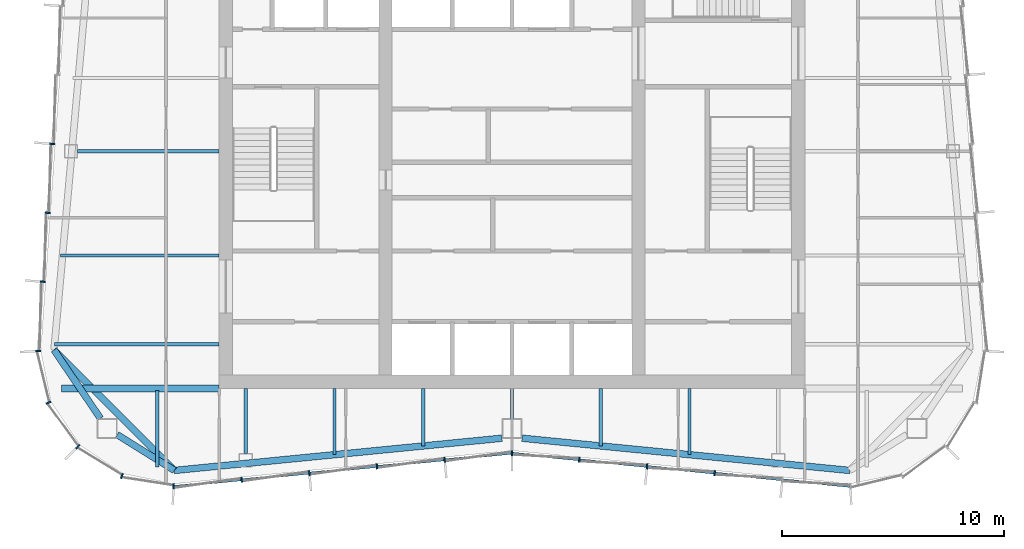
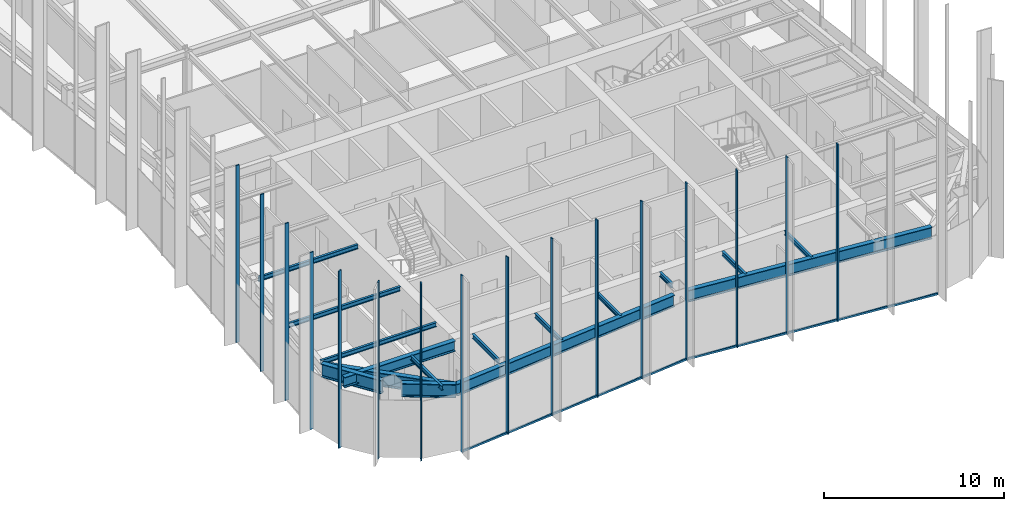
# One storey, part 3 of 13: 18 members, 16 beams, 3 elements without a shape of their own.
"""IFC4 building model written with IfcOpenShell, lengths in metres."""

from ifc_helpers import new_model, si_unit, direction, frame, origin, origin_2d, place, context, subcontext, project, spatial, rectangle, i_section, extrude, material, material_profile, profile_set, type_object, element, aggregate, save


model = new_model("IFC4")

# Units and contexts
model_context = context("Model", 3, precision=1e-05, world=origin(), true_north=direction((0.0, 1.0)))
body_context = subcontext(model_context, "Body", "Model", "MODEL_VIEW")
ifc_project = project(units=[si_unit("LENGTHUNIT", "METRE"), si_unit("AREAUNIT", "SQUARE_METRE"), si_unit("VOLUMEUNIT", "CUBIC_METRE"), si_unit("PLANEANGLEUNIT", "RADIAN"), si_unit("MASSUNIT", "GRAM", prefix="KILO")], contexts=[model_context])

# Site, building, storey
site_placement = place(None, origin())
site = spatial("IfcSite", under=ifc_project, at=site_placement, CompositionType="ELEMENT")
building_placement = place(site_placement, origin())
building = spatial("IfcBuilding", under=site, at=building_placement, Name="Verdant Reach Tower", CompositionType="ELEMENT")
storey_placement = place(building_placement, frame((0.0, 0.0, 306.0)))
storey = spatial("IfcBuildingStorey", under=building, at=storey_placement, Name="L70", CompositionType="ELEMENT", Elevation=306.0)

# Curtain wall, members
ifc_material_1 = material(Name="Anodised aluminium", Category="aluminium")
curtain_wall_type = type_object("IfcCurtainWallType", Name="EN-CW SYSTEM Z5", PredefinedType="NOTDEFINED", material=ifc_material_1)
curtain_wall_1_placement = place(storey_placement, origin())
curtain_wall_1 = element("IfcCurtainWall", 1, at=curtain_wall_1_placement, inside=storey, type_object=curtain_wall_type, Name="Curtain wall west, L70", PredefinedType="NOTDEFINED")
ifc_material_profile_1 = material_profile(ifc_material_1, rectangle(XDim=0.22998046875, YDim=0.070068359375, at=origin_2d()), Name="Mullion 70x230")
ifc_profile_set_1 = profile_set([ifc_material_profile_1], Name="Anodised aluminium")
member_type_1 = type_object("IfcMemberType", Name="EN-MULLION Z5", PredefinedType="MULLION", material=ifc_profile_set_1)
member_1_placement = place(storey_placement, frame((-20.721923828125, 28.829345703125, -0.35009765625), z_axis=(0.0, 0.0, 1.0), x_axis=(-0.997630328423, 0.068802091615, 0.0)))
member_1 = element("IfcMember", 2, at=member_1_placement, type_object=member_type_1, Name="Mullion west face part 2 5, L70", PredefinedType="MULLION", context=body_context, shape_type="SweptSolid", body=[
    extrude(rectangle(XDim=0.22998046875, YDim=0.070068359375, at=origin_2d()), origin(), (0.0, 0.0, 1.0), 12.0),
])
member_2_placement = place(storey_placement, frame((-20.93603515625, 25.72216796875, -0.35009765625), z_axis=(0.0, 0.0, 1.0), x_axis=(-0.997630328423, 0.068802091615, 0.0)))
member_2 = element("IfcMember", 3, at=member_2_placement, type_object=member_type_1, Name="Mullion west face part 2 6, L70", PredefinedType="MULLION", context=body_context, shape_type="SweptSolid", body=[
    extrude(rectangle(XDim=0.22998046875, YDim=0.070068359375, at=origin_2d()), origin(), (0.0, 0.0, 1.0), 12.0),
])
member_3_placement = place(storey_placement, frame((-21.150390625, 22.614990234375, -0.35009765625), z_axis=(0.0, 0.0, 1.0), x_axis=(-0.997630328423, 0.068802091615, 0.0)))
member_3 = element("IfcMember", 4, at=member_3_placement, type_object=member_type_1, Name="Mullion west face part 2 7, L70", PredefinedType="MULLION", context=body_context, shape_type="SweptSolid", body=[
    extrude(rectangle(XDim=0.22998046875, YDim=0.070068359375, at=origin_2d()), origin(), (0.0, 0.0, 1.0), 12.0),
])
aggregate(curtain_wall_1, [member_1, member_2, member_3])

curtain_wall_2_placement = place(storey_placement, origin())
curtain_wall_2 = element("IfcCurtainWall", 5, at=curtain_wall_2_placement, inside=storey, type_object=curtain_wall_type, Name="Curtain wall south-west corner, L70", PredefinedType="NOTDEFINED")
member_4_placement = place(storey_placement, frame((-21.36474609375, 19.49267578125, -0.35009765625), z_axis=(0.0, 0.0, 1.0), x_axis=(-0.997969180898, -0.063698618332, 0.0)))
member_4 = element("IfcMember", 6, at=member_4_placement, type_object=member_type_1, Name="Mullion south-west corner 1, L70", PredefinedType="MULLION", context=body_context, shape_type="SweptSolid", body=[
    extrude(rectangle(XDim=0.22998046875, YDim=0.070068359375, at=origin_2d()), origin(), (0.0, 0.0, 1.0), 12.0),
])
member_5_placement = place(storey_placement, frame((-20.899658203125, 17.159912109375, -0.35009765625), z_axis=(0.0, 0.0, 1.0), x_axis=(-0.923875215753, -0.382693853776, 0.0)))
member_5 = element("IfcMember", 7, at=member_5_placement, type_object=member_type_1, Name="Mullion south-west corner 2, L70", PredefinedType="MULLION", context=body_context, shape_type="SweptSolid", body=[
    extrude(rectangle(XDim=0.22998046875, YDim=0.070068359375, at=origin_2d()), origin(), (0.0, 0.0, 1.0), 12.0),
])
member_6_placement = place(storey_placement, frame((-19.573974609375, 15.176025390625, -0.35009765625), z_axis=(0.0, 0.0, 1.0), x_axis=(-0.707106781187, -0.707106781187, 0.0)))
member_6 = element("IfcMember", 8, at=member_6_placement, type_object=member_type_1, Name="Mullion south-west corner 3, L70", PredefinedType="MULLION", context=body_context, shape_type="SweptSolid", body=[
    extrude(rectangle(XDim=0.22998046875, YDim=0.070068359375, at=origin_2d()), origin(), (0.0, 0.0, 1.0), 12.0),
])
member_7_placement = place(storey_placement, frame((-17.590087890625, 13.850341796875, -0.35009765625), z_axis=(0.0, 0.0, 1.0), x_axis=(-0.382693853776, -0.923875215753, 0.0)))
member_7 = element("IfcMember", 9, at=member_7_placement, type_object=member_type_1, Name="Mullion south-west corner 4, L70", PredefinedType="MULLION", context=body_context, shape_type="SweptSolid", body=[
    extrude(rectangle(XDim=0.22998046875, YDim=0.070068359375, at=origin_2d()), origin(), (0.0, 0.0, 1.0), 12.0),
])
aggregate(curtain_wall_2, [member_4, member_5, member_6, member_7])

curtain_wall_3_placement = place(storey_placement, origin())
curtain_wall_3 = element("IfcCurtainWall", 10, at=curtain_wall_3_placement, inside=storey, type_object=curtain_wall_type, Name="Curtain wall south, L70", PredefinedType="NOTDEFINED")
member_8_placement = place(storey_placement, frame((-15.255615234375, 13.38525390625, -0.35009765625), z_axis=(0.0, 0.0, 1.0), x_axis=(-0.049127596288, -0.998792510626, 0.0)))
member_8 = element("IfcMember", 11, at=member_8_placement, type_object=member_type_1, Name="Mullion south face part 1 1, L70", PredefinedType="MULLION", context=body_context, shape_type="SweptSolid", body=[
    extrude(rectangle(XDim=0.22998046875, YDim=0.070068359375, at=origin_2d()), origin(), (0.0, 0.0, 1.0), 12.0),
])
member_9_placement = place(storey_placement, frame((-12.188720703125, 13.685546875, -0.35009765625), z_axis=(0.0, 0.0, 1.0), x_axis=(0.09788826992, -0.995197410875, 0.0)))
member_9 = element("IfcMember", 12, at=member_9_placement, type_object=member_type_1, Name="Mullion south face part 1 2, L70", PredefinedType="MULLION", context=body_context, shape_type="SweptSolid", body=[
    extrude(rectangle(XDim=0.22998046875, YDim=0.070068359375, at=origin_2d()), origin(), (0.0, 0.0, 1.0), 12.0),
])
member_10_placement = place(storey_placement, frame((-9.138671875, 13.985595703125, -0.35009765625), z_axis=(0.0, 0.0, 1.0), x_axis=(0.09788826992, -0.995197410875, 0.0)))
member_10 = element("IfcMember", 13, at=member_10_placement, type_object=member_type_1, Name="Mullion south face part 1 3, L70", PredefinedType="MULLION", context=body_context, shape_type="SweptSolid", body=[
    extrude(rectangle(XDim=0.22998046875, YDim=0.070068359375, at=origin_2d()), origin(), (0.0, 0.0, 1.0), 12.0),
])
member_11_placement = place(storey_placement, frame((-6.088623046875, 14.28564453125, -0.35009765625), z_axis=(0.0, 0.0, 1.0), x_axis=(0.09788826992, -0.995197410875, 0.0)))
member_11 = element("IfcMember", 14, at=member_11_placement, type_object=member_type_1, Name="Mullion south face part 1 4, L70", PredefinedType="MULLION", context=body_context, shape_type="SweptSolid", body=[
    extrude(rectangle(XDim=0.22998046875, YDim=0.070068359375, at=origin_2d()), origin(), (0.0, 0.0, 1.0), 12.0),
])
member_12_placement = place(storey_placement, frame((-3.038818359375, 14.58544921875, -0.35009765625), z_axis=(0.0, 0.0, 1.0), x_axis=(0.09788826992, -0.995197410875, 0.0)))
member_12 = element("IfcMember", 15, at=member_12_placement, type_object=member_type_1, Name="Mullion south face part 1 5, L70", PredefinedType="MULLION", context=body_context, shape_type="SweptSolid", body=[
    extrude(rectangle(XDim=0.22998046875, YDim=0.070068359375, at=origin_2d()), origin(), (0.0, 0.0, 1.0), 12.0),
])
member_13_placement = place(storey_placement, frame((0.0, 14.885009765625, -0.35009765625), z_axis=(0.0, 0.0, 1.0), x_axis=(0.0, -1.0, 0.0)))
member_13 = element("IfcMember", 16, at=member_13_placement, type_object=member_type_1, Name="Mullion south face part 2 1, L70", PredefinedType="MULLION", context=body_context, shape_type="SweptSolid", body=[
    extrude(rectangle(XDim=0.22998046875, YDim=0.070068359375, at=origin_2d()), origin(), (0.0, 0.0, 1.0), 12.0),
])
member_14_placement = place(storey_placement, frame((3.038818359375, 14.58544921875, -0.35009765625), z_axis=(0.0, 0.0, 1.0), x_axis=(-0.09788826992, -0.995197410875, 0.0)))
member_14 = element("IfcMember", 17, at=member_14_placement, type_object=member_type_1, Name="Mullion south face part 2 2, L70", PredefinedType="MULLION", context=body_context, shape_type="SweptSolid", body=[
    extrude(rectangle(XDim=0.22998046875, YDim=0.070068359375, at=origin_2d()), origin(), (0.0, 0.0, 1.0), 12.0),
])
member_15_placement = place(storey_placement, frame((6.088623046875, 14.28564453125, -0.35009765625), z_axis=(0.0, 0.0, 1.0), x_axis=(-0.09788826992, -0.995197410875, 0.0)))
member_15 = element("IfcMember", 18, at=member_15_placement, type_object=member_type_1, Name="Mullion south face part 2 3, L70", PredefinedType="MULLION", context=body_context, shape_type="SweptSolid", body=[
    extrude(rectangle(XDim=0.22998046875, YDim=0.070068359375, at=origin_2d()), origin(), (0.0, 0.0, 1.0), 12.0),
])
member_16_placement = place(storey_placement, frame((9.138671875, 13.985595703125, -0.35009765625), z_axis=(0.0, 0.0, 1.0), x_axis=(-0.09788826992, -0.995197410875, 0.0)))
member_16 = element("IfcMember", 19, at=member_16_placement, type_object=member_type_1, Name="Mullion south face part 2 4, L70", PredefinedType="MULLION", context=body_context, shape_type="SweptSolid", body=[
    extrude(rectangle(XDim=0.22998046875, YDim=0.070068359375, at=origin_2d()), origin(), (0.0, 0.0, 1.0), 12.0),
])
ifc_material_profile_2 = material_profile(ifc_material_1, rectangle(XDim=0.10009765625, YDim=0.1298828125, at=origin_2d()), Name="Transom 130x100")
ifc_profile_set_2 = profile_set([ifc_material_profile_2], Name="Anodised aluminium")
member_type_2 = type_object("IfcMemberType", Name="EN-TRANSOM Z5", PredefinedType="USERDEFINED", material=ifc_profile_set_2)
member_17_placement = place(storey_placement, frame((-15.220703125, 13.388671875, -0.284912109375), z_axis=(0.99520229006, 0.097838652171, 0.0), x_axis=(-0.097838652171, 0.99520229006, 0.0)))
member_17 = element("IfcMember", 20, at=member_17_placement, type_object=member_type_2, Name="Transom south face part 1 1.1, L70", ObjectType="TRANSOM", PredefinedType="USERDEFINED", context=body_context, shape_type="SweptSolid", body=[
    extrude(rectangle(XDim=0.10009765625, YDim=0.1298828125, at=origin_2d()), origin(), (0.0, 0.0, 1.0), 15.259033203125),
])
member_18_placement = place(storey_placement, frame((0.034912109375, 14.881591796875, -0.284912109375), z_axis=(0.99520229006, -0.097838652171, 0.0), x_axis=(0.097838652171, 0.99520229006, 0.0)))
member_18 = element("IfcMember", 21, at=member_18_placement, type_object=member_type_2, Name="Transom south face part 2 1.1, L70", ObjectType="TRANSOM", PredefinedType="USERDEFINED", context=body_context, shape_type="SweptSolid", body=[
    extrude(rectangle(XDim=0.10009765625, YDim=0.1298828125, at=origin_2d()), origin(), (0.0, 0.0, 1.0), 15.259033203125),
])
aggregate(curtain_wall_3, [member_8, member_9, member_10, member_11, member_12, member_17, member_13, member_14, member_15, member_16, member_18])

# Beams
ifc_material_2 = material(Name="Steel S355", Category="steel")
ifc_material_profile_3 = material_profile(ifc_material_2, i_section(OverallWidth=0.300048828125, OverallDepth=0.699951171875, WebThickness=0.01708984375, FlangeThickness=0.031982421875, FilletRadius=0.027099609375, at=origin_2d()), Name="HEB 700")
ifc_profile_set_3 = profile_set([ifc_material_profile_3], Name="Steel S355")
beam_type_1 = type_object("IfcBeamType", Name="ST-BEAM-HEB700", PredefinedType="BEAM", material=ifc_profile_set_3)
beam_1_placement = place(storey_placement, frame((-13.199951171875, 17.800048828125, 3.52001953125), z_axis=(-1.0, 0.0, 0.0), x_axis=(0.0, -1.0, 0.0)))
element("IfcBeam", 22, at=beam_1_placement, inside=storey, type_object=beam_type_1, Name="Trimmer beam, L70", PredefinedType="BEAM", context=body_context, shape_type="SweptSolid", body=[
    extrude(i_section(OverallWidth=0.300048828125, OverallDepth=0.699951171875, WebThickness=0.01708984375, FlangeThickness=0.031982421875, FilletRadius=0.027099609375, at=origin_2d()), origin(), (0.0, 0.0, 1.0), 7.10009765625),
])
ifc_material_profile_4 = material_profile(ifc_material_2, i_section(OverallWidth=0.302001953125, OverallDepth=0.909912109375, WebThickness=0.02099609375, FlangeThickness=0.0400390625, FilletRadius=0.030029296875, at=origin_2d()), Name="HEM 900")
ifc_profile_set_4 = profile_set([ifc_material_profile_4], Name="Steel S355")
beam_type_2 = type_object("IfcBeamType", Name="ST-BEAM-HEM900", PredefinedType="BEAM", material=ifc_profile_set_4)
beam_2_placement = place(storey_placement, frame((-17.800048828125, 15.71875, 3.4150390625), z_axis=(0.847903624467, -0.530150397166, 0.0), x_axis=(0.530150397166, 0.847903624467, 0.0)))
element("IfcBeam", 23, at=beam_2_placement, inside=storey, type_object=beam_type_2, Name="Column stub beam, L70", PredefinedType="BEAM", context=body_context, shape_type="SweptSolid", body=[
    extrude(i_section(OverallWidth=0.302001953125, OverallDepth=0.909912109375, WebThickness=0.02099609375, FlangeThickness=0.0400390625, FilletRadius=0.030029296875, at=origin_2d()), origin(), (0.0, 0.0, 1.0), 3.042724609375),
])
beam_3_placement = place(storey_placement, frame((-18.5546875, 16.449951171875, 3.4150390625), z_axis=(-0.560667226688, 0.828041219335, 0.0), x_axis=(-0.828041219335, -0.560667226688, 0.0)))
element("IfcBeam", 24, at=beam_3_placement, inside=storey, type_object=beam_type_2, Name="Column stub beam, L70", PredefinedType="BEAM", context=body_context, shape_type="SweptSolid", body=[
    extrude(i_section(OverallWidth=0.302001953125, OverallDepth=0.909912109375, WebThickness=0.02099609375, FlangeThickness=0.0400390625, FilletRadius=0.030029296875, at=origin_2d()), origin(), (0.0, 0.0, 1.0), 3.72998046875),
])
ifc_material_profile_5 = material_profile(ifc_material_2, i_section(OverallWidth=0.14990234375, OverallDepth=0.300048828125, WebThickness=0.007080078125, FlangeThickness=0.0107421875, FilletRadius=0.014892578125, at=origin_2d()), Name="IPE 300")
ifc_profile_set_5 = profile_set([ifc_material_profile_5], Name="Steel S355")
beam_type_3 = type_object("IfcBeamType", Name="ST-JOIST-IPE300", PredefinedType="JOIST", material=ifc_profile_set_5)
beam_4_placement = place(storey_placement, frame((-16.0, 17.699951171875, 3.719970703125), z_axis=(0.0, -1.0, 0.0), x_axis=(1.0, 0.0, 0.0)))
element("IfcBeam", 25, at=beam_4_placement, inside=storey, type_object=beam_type_3, Name="Floor joist, L70", PredefinedType="JOIST", context=body_context, shape_type="SweptSolid", body=[
    extrude(i_section(OverallWidth=0.14990234375, OverallDepth=0.300048828125, WebThickness=0.007080078125, FlangeThickness=0.0107421875, FilletRadius=0.014892578125, at=origin_2d()), origin(), (0.0, 0.0, 1.0), 3.43896484375),
])
beam_5_placement = place(storey_placement, frame((-12.0, 17.800048828125, 3.719970703125), z_axis=(0.0, -1.0, 0.0), x_axis=(1.0, 0.0, 0.0)))
element("IfcBeam", 26, at=beam_5_placement, inside=storey, type_object=beam_type_3, Name="Floor joist, L70", PredefinedType="JOIST", context=body_context, shape_type="SweptSolid", body=[
    extrude(i_section(OverallWidth=0.14990234375, OverallDepth=0.300048828125, WebThickness=0.007080078125, FlangeThickness=0.0107421875, FilletRadius=0.014892578125, at=origin_2d()), origin(), (0.0, 0.0, 1.0), 2.930419921875),
])
beam_6_placement = place(storey_placement, frame((-8.0, 17.800048828125, 3.719970703125), z_axis=(0.0, -1.0, 0.0), x_axis=(1.0, 0.0, 0.0)))
element("IfcBeam", 27, at=beam_6_placement, inside=storey, type_object=beam_type_3, Name="Floor joist, L70", PredefinedType="JOIST", context=body_context, shape_type="SweptSolid", body=[
    extrude(i_section(OverallWidth=0.14990234375, OverallDepth=0.300048828125, WebThickness=0.007080078125, FlangeThickness=0.0107421875, FilletRadius=0.014892578125, at=origin_2d()), origin(), (0.0, 0.0, 1.0), 2.984130859375),
])
beam_7_placement = place(storey_placement, frame((-4.0, 17.800048828125, 3.719970703125), z_axis=(0.0, -1.0, 0.0), x_axis=(1.0, 0.0, 0.0)))
element("IfcBeam", 28, at=beam_7_placement, inside=storey, type_object=beam_type_3, Name="Floor joist, L70", PredefinedType="JOIST", context=body_context, shape_type="SweptSolid", body=[
    extrude(i_section(OverallWidth=0.14990234375, OverallDepth=0.300048828125, WebThickness=0.007080078125, FlangeThickness=0.0107421875, FilletRadius=0.014892578125, at=origin_2d()), origin(), (0.0, 0.0, 1.0), 2.590576171875),
])
beam_8_placement = place(storey_placement, frame((0.0, 17.800048828125, 3.719970703125), z_axis=(0.0, -1.0, 0.0), x_axis=(1.0, 0.0, 0.0)))
element("IfcBeam", 29, at=beam_8_placement, inside=storey, type_object=beam_type_3, Name="Floor joist, L70", PredefinedType="JOIST", context=body_context, shape_type="SweptSolid", body=[
    extrude(i_section(OverallWidth=0.14990234375, OverallDepth=0.300048828125, WebThickness=0.007080078125, FlangeThickness=0.0107421875, FilletRadius=0.014892578125, at=origin_2d()), origin(), (0.0, 0.0, 1.0), 1.35009765625),
])
beam_9_placement = place(storey_placement, frame((4.0, 17.800048828125, 3.719970703125), z_axis=(0.0, -1.0, 0.0), x_axis=(1.0, 0.0, 0.0)))
element("IfcBeam", 30, at=beam_9_placement, inside=storey, type_object=beam_type_3, Name="Floor joist, L70", PredefinedType="JOIST", context=body_context, shape_type="SweptSolid", body=[
    extrude(i_section(OverallWidth=0.14990234375, OverallDepth=0.300048828125, WebThickness=0.007080078125, FlangeThickness=0.0107421875, FilletRadius=0.014892578125, at=origin_2d()), origin(), (0.0, 0.0, 1.0), 2.590576171875),
])
beam_10_placement = place(storey_placement, frame((8.0, 17.800048828125, 3.719970703125), z_axis=(0.0, -1.0, 0.0), x_axis=(1.0, 0.0, 0.0)))
element("IfcBeam", 31, at=beam_10_placement, inside=storey, type_object=beam_type_3, Name="Floor joist, L70", PredefinedType="JOIST", context=body_context, shape_type="SweptSolid", body=[
    extrude(i_section(OverallWidth=0.14990234375, OverallDepth=0.300048828125, WebThickness=0.007080078125, FlangeThickness=0.0107421875, FilletRadius=0.014892578125, at=origin_2d()), origin(), (0.0, 0.0, 1.0), 2.984130859375),
])
beam_11_placement = place(storey_placement, frame((-13.199951171875, 19.800048828125, 3.719970703125), z_axis=(-1.0, 0.0, 0.0), x_axis=(0.0, -1.0, 0.0)))
element("IfcBeam", 32, at=beam_11_placement, inside=storey, type_object=beam_type_3, Name="Floor joist, L70", PredefinedType="JOIST", context=body_context, shape_type="SweptSolid", body=[
    extrude(i_section(OverallWidth=0.14990234375, OverallDepth=0.300048828125, WebThickness=0.007080078125, FlangeThickness=0.0107421875, FilletRadius=0.014892578125, at=origin_2d()), origin(), (0.0, 0.0, 1.0), 7.427978515625),
])
beam_12_placement = place(storey_placement, frame((-13.199951171875, 23.800048828125, 3.719970703125), z_axis=(-1.0, 0.0, 0.0), x_axis=(0.0, -1.0, 0.0)))
element("IfcBeam", 33, at=beam_12_placement, inside=storey, type_object=beam_type_3, Name="Floor joist, L70", PredefinedType="JOIST", context=body_context, shape_type="SweptSolid", body=[
    extrude(i_section(OverallWidth=0.14990234375, OverallDepth=0.300048828125, WebThickness=0.007080078125, FlangeThickness=0.0107421875, FilletRadius=0.014892578125, at=origin_2d()), origin(), (0.0, 0.0, 1.0), 7.152099609375),
])
beam_13_placement = place(storey_placement, frame((-13.199951171875, 28.5, 3.719970703125), z_axis=(-1.0, 0.0, 0.0), x_axis=(0.0, -1.0, 0.0)))
element("IfcBeam", 34, at=beam_13_placement, inside=storey, type_object=beam_type_3, Name="Floor joist, L70", PredefinedType="JOIST", context=body_context, shape_type="SweptSolid", body=[
    extrude(i_section(OverallWidth=0.14990234375, OverallDepth=0.300048828125, WebThickness=0.007080078125, FlangeThickness=0.0107421875, FilletRadius=0.014892578125, at=origin_2d()), origin(), (0.0, 0.0, 1.0), 6.37939453125),
])
ifc_material_profile_6 = material_profile(ifc_material_2, i_section(OverallWidth=0.300048828125, OverallDepth=0.800048828125, WebThickness=0.017578125, FlangeThickness=0.032958984375, FilletRadius=0.030029296875, at=origin_2d()), Name="HEB 800")
ifc_profile_set_6 = profile_set([ifc_material_profile_6], Name="Steel S355")
beam_type_4 = type_object("IfcBeamType", Name="ST-SPANDREL-HEB800", PredefinedType="SPANDREL", material=ifc_profile_set_6)
for number, where, z_axis, x_axis, name in (
    (35, (15.22021484375, 14.105712890625, 3.469970703125), (-0.995196964263, 0.097892810366, 0.0), (-0.097892810366, -0.995196964263, 0.0), "Edge beam, L70"),
    (36, (-0.449951171875, 15.55859375, 3.469970703125), (-0.995196964263, -0.097892810366, 0.0), (0.097892810366, -0.995196964263, 0.0), "Edge beam, L70"),
):
    element("IfcBeam", number, at=place(storey_placement, frame(where, z_axis=z_axis, x_axis=x_axis)), inside=storey, type_object=beam_type_4, Name=name, PredefinedType="SPANDREL", context=body_context, shape_type="SweptSolid", body=[
        extrude(i_section(OverallWidth=0.300048828125, OverallDepth=0.800048828125, WebThickness=0.017578125, FlangeThickness=0.032958984375, FilletRadius=0.030029296875, at=origin_2d()), origin(), (0.0, 0.0, 1.0), 14.841552734375),
    ])
ifc_material_profile_7 = material_profile(ifc_material_2, i_section(OverallWidth=0.302001953125, OverallDepth=0.909912109375, WebThickness=0.02099609375, FlangeThickness=0.0400390625, FilletRadius=0.030029296875, at=origin_2d()), Name="HEM 900")
ifc_profile_set_7 = profile_set([ifc_material_profile_7], Name="Steel S355")
beam_type_5 = type_object("IfcBeamType", Name="ST-SPANDREL-HEM900", PredefinedType="SPANDREL", material=ifc_profile_set_7)
beam_14_placement = place(storey_placement, frame((-15.22021484375, 14.105712890625, 3.4150390625), z_axis=(-0.706645581521, 0.707567680237, 0.0), x_axis=(-0.707567680237, -0.706645581521, 0.0)))
element("IfcBeam", 37, at=beam_14_placement, inside=storey, type_object=beam_type_5, Name="Edge beam, L70", PredefinedType="SPANDREL", context=body_context, shape_type="SweptSolid", body=[
    extrude(i_section(OverallWidth=0.302001953125, OverallDepth=0.909912109375, WebThickness=0.02099609375, FlangeThickness=0.0400390625, FilletRadius=0.030029296875, at=origin_2d()), origin(), (0.0, 0.0, 1.0), 7.67822265625),
])

save(model, "model.ifc")
